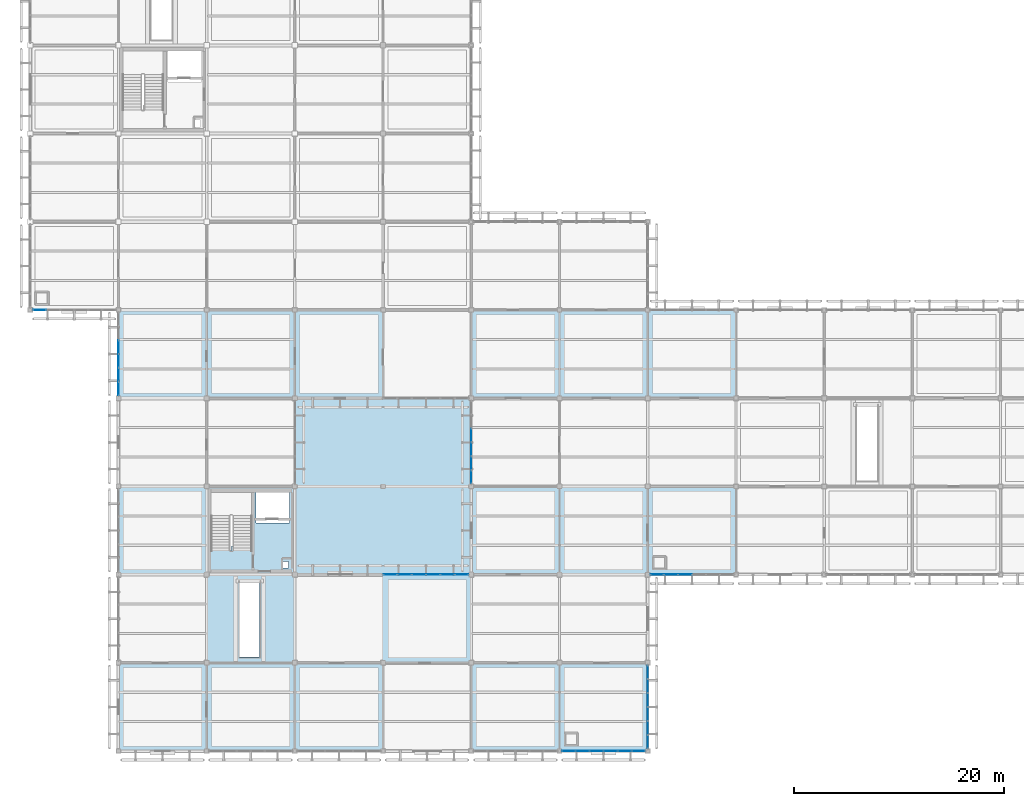
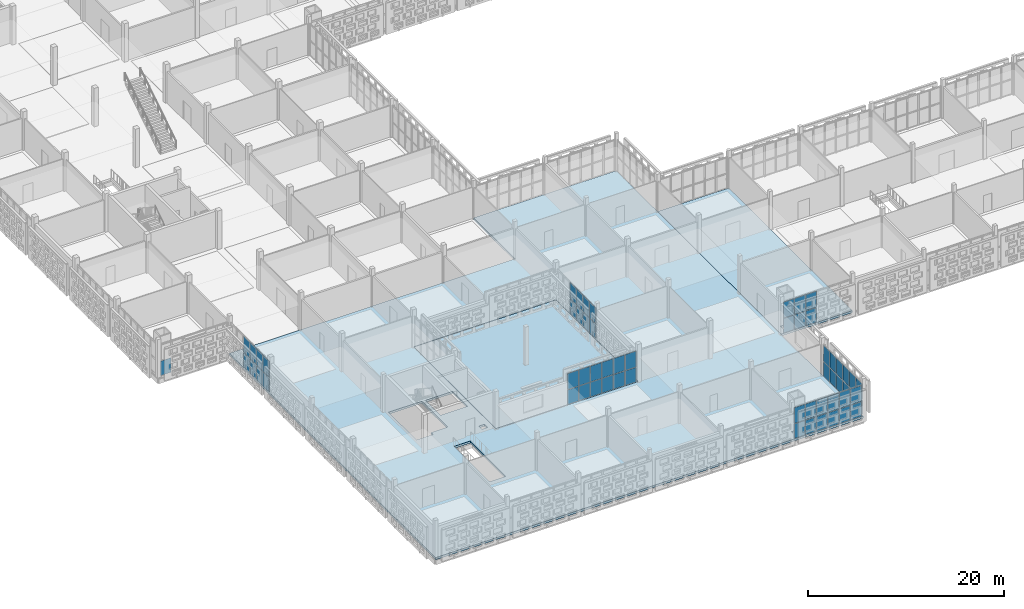
# One storey, part 88 of 203: 59 plates, 3 slabs, 7 elements without a shape of their own.
"""IFC4 building model written with IfcOpenShell, lengths in metres."""

import ifcopenshell
import ifcopenshell.guid

model = None  # the IFC model being written
_history = None  # IfcOwnerHistory: only IFC2X3 demands one
_inside = {}  # id of a spatial element -> (the spatial element, [elements in it])
_under = {}  # id of a project, library or spatial element -> (it, [spatial elements below it])
_declared = {}  # id of a project -> (the project, [libraries it declares])
_typed = {}  # id of a type object -> (the type object, [elements of that type])
_made_of = {}  # id of a material, layer set ... -> (it, [elements and type objects made of it])


def new_model(schema):
    """Start an empty IFC model of exactly this schema.

    Asked for "IFC4X3", IfcOpenShell would pick the latest addendum, in which some entities
    have other attributes; the version numbers below select the first issue.
    IFC2X3 requires an IfcOwnerHistory on every rooted entity: one is made here for all.
    """
    global model, _history
    if schema == "IFC4X3":
        model = ifcopenshell.file(schema_version=(4, 3, 0, 0))
    else:
        model = ifcopenshell.file(schema=schema)
    _inside.clear()
    _under.clear()
    _declared.clear()
    _typed.clear()
    _made_of.clear()
    _history = None
    if model.schema == "IFC2X3":
        org = make("IfcOrganization", Name="unknown")
        user = make(
            "IfcPersonAndOrganization",
            ThePerson=make("IfcPerson", FamilyName="unknown"),
            TheOrganization=org,
        )
        app = make(
            "IfcApplication",
            ApplicationDeveloper=org,
            Version="unknown",
            ApplicationFullName="unknown",
            ApplicationIdentifier="unknown",
        )
        _history = make(
            "IfcOwnerHistory",
            OwningUser=user,
            OwningApplication=app,
            ChangeAction="ADDED",
            CreationDate=0,
        )
    return model


def make(cls, **values):
    """One entity of the class cls with the attributes given. An attribute that is None is left unset."""
    return model.create_entity(
        cls, **{name: value for name, value in values.items() if value is not None}
    )


def rooted(cls, **values):
    """An entity with a GlobalId (a new one), such as an element, a storey or a relation."""
    return make(cls, GlobalId=ifcopenshell.guid.new(), OwnerHistory=_history, **values)


def si_unit(unit_type, name, prefix=None):
    """IfcSIUnit, for example si_unit("LENGTHUNIT", "METRE", prefix="MILLI")."""
    return make("IfcSIUnit", UnitType=unit_type, Prefix=prefix, Name=name)


def assignment(units):
    """IfcUnitAssignment: the units of a project."""
    return None if units is None else make("IfcUnitAssignment", Units=units)


def point(xyz):
    """IfcCartesianPoint."""
    return None if xyz is None else make("IfcCartesianPoint", Coordinates=xyz)


def direction(xyz):
    """IfcDirection."""
    return None if xyz is None else make("IfcDirection", DirectionRatios=xyz)


def frame(location, z_axis=None, x_axis=None):
    """IfcAxis2Placement3D, a coordinate frame: its origin and axes. An axis left out is left unset."""
    return make(
        "IfcAxis2Placement3D",
        Location=point(location),
        Axis=direction(z_axis),
        RefDirection=direction(x_axis),
    )


def frame_2d(location, x_axis=None):
    """IfcAxis2Placement2D, a coordinate frame in the plane: its origin and x axis."""
    return make(
        "IfcAxis2Placement2D", Location=point(location), RefDirection=direction(x_axis)
    )


def origin():
    """The frame at (0, 0, 0) with its axes left unset."""
    return frame((0.0, 0.0, 0.0))


def origin_2d():
    """The frame at (0, 0) in the plane with its x axis left unset."""
    return frame_2d((0.0, 0.0))


def place(relative_to, where):
    """IfcLocalPlacement: puts the frame where relative to a parent placement (None: the world)."""
    return make(
        "IfcLocalPlacement", PlacementRelTo=relative_to, RelativePlacement=where
    )


def context(
    kind, dimensions, precision=None, world=None, true_north=None, identifier=None
):
    """IfcGeometricRepresentationContext, for example the 3D "Model" context."""
    return make(
        "IfcGeometricRepresentationContext",
        ContextIdentifier=identifier,
        ContextType=kind,
        CoordinateSpaceDimension=dimensions,
        Precision=precision,
        WorldCoordinateSystem=world,
        TrueNorth=true_north,
    )


def subcontext(parent, identifier, kind, view, scale=None):
    """IfcGeometricRepresentationSubContext, for example "Body" below "Model"."""
    return make(
        "IfcGeometricRepresentationSubContext",
        ContextIdentifier=identifier,
        ContextType=kind,
        ParentContext=parent,
        TargetScale=scale,
        TargetView=view,
    )


def project(units=None, contexts=None):
    """IfcProject with its units and contexts."""
    return rooted(
        "IfcProject",
        Name="project",
        RepresentationContexts=contexts,
        UnitsInContext=assignment(units),
    )


def spatial(cls, under=None, at=None, **own):
    """A site, building, storey or space (cls), placed at a placement, below another one or the project."""
    s = rooted(cls, ObjectPlacement=at, **own)
    if under is not None:
        _under.setdefault(under.id(), (under, []))[1].append(s)
    return s


def polyline(points):
    """IfcPolyline through the points."""
    return make("IfcPolyline", Points=[point(p) for p in points])


def profile(cls, at=None, kind="AREA", **sizes):
    """A parametric profile (cls). Its sizes go by their IFC names, for example OverallWidth=200.0."""
    return make(cls, ProfileType=kind, Position=at, **sizes)


def rectangle(**sizes):
    """IfcRectangleProfileDef."""
    return profile("IfcRectangleProfileDef", **sizes)


def outline(outer, holes=None, kind="AREA"):
    """IfcArbitraryClosedProfileDef: a profile drawn as a closed curve; with holes, ...WithVoids."""
    if holes is None:
        return make("IfcArbitraryClosedProfileDef", ProfileType=kind, OuterCurve=outer)
    return make(
        "IfcArbitraryProfileDefWithVoids",
        ProfileType=kind,
        OuterCurve=outer,
        InnerCurves=holes,
    )


def extrude(swept, where, along, depth):
    """IfcExtrudedAreaSolid: the profile swept, set in the frame where, extruded along a direction by depth."""
    return make(
        "IfcExtrudedAreaSolid",
        SweptArea=swept,
        Position=where,
        ExtrudedDirection=direction(along),
        Depth=depth,
    )


def shape(context_of_items, identifier, shape_type, items):
    """IfcShapeRepresentation: the items that make up one representation, for example the "Body"."""
    return make(
        "IfcShapeRepresentation",
        ContextOfItems=context_of_items,
        RepresentationIdentifier=identifier,
        RepresentationType=shape_type,
        Items=items,
    )


def material(Name=None, Category=None):
    """IfcMaterial."""
    return make("IfcMaterial", Name=Name, Category=Category)


def layer(
    of_material, thickness, ventilated=None, Name=None, Category=None, Priority=None
):
    """IfcMaterialLayer: one layer of a wall or slab, of a material (None: an air gap)."""
    return make(
        "IfcMaterialLayer",
        Material=of_material,
        LayerThickness=thickness,
        IsVentilated=ventilated,
        Name=Name,
        Category=Category,
        Priority=Priority,
    )


def layer_set(layers, Name=None):
    """IfcMaterialLayerSet."""
    return make("IfcMaterialLayerSet", MaterialLayers=layers, LayerSetName=Name)


def made_of(thing, what):
    """Note that an element or type object is made of a material, layer set ...; save() writes the relation."""
    if what is not None:
        _made_of.setdefault(what.id(), (what, []))[1].append(thing)
    return thing


def type_object(cls, material=None, **own):
    """A type object (cls), such as IfcWallType, which elements share."""
    return made_of(rooted(cls, **own), material)


def element(
    cls,
    number,
    at=None,
    inside=None,
    cuts=None,
    type_object=None,
    material=None,
    context=None,
    identifier="Body",
    shape_type=None,
    held_by="IfcProductDefinitionShape",
    body=None,
    shapes=None,
    **own,
):
    """One element of the class cls, such as IfcWall. Its Tag is "e" and its number.

    at: its placement. inside: the storey or other place that contains it. cuts: it is an
    opening in that element (IfcRelVoidsElement). A single representation is given by context,
    identifier, shape_type and body (its items); several are given by shapes. held_by: the class
    of the entity that holds the representations. save() writes the other relations.
    """
    e = rooted(cls, Tag="e%d" % number, ObjectPlacement=at, **own)
    if body is not None:
        shapes = [shape(context, identifier, shape_type, body)]
    if shapes is not None:
        e.Representation = make(held_by, Representations=shapes)
    if inside is not None:
        _inside.setdefault(inside.id(), (inside, []))[1].append(e)
    if cuts is not None:
        rooted(
            "IfcRelVoidsElement", RelatingBuildingElement=cuts, RelatedOpeningElement=e
        )
    if type_object is not None:
        _typed.setdefault(type_object.id(), (type_object, []))[1].append(e)
    return made_of(e, material)


def aggregate(whole, parts):
    """IfcRelAggregates: a whole, such as a stair, and the parts it consists of."""
    return rooted("IfcRelAggregates", RelatingObject=whole, RelatedObjects=parts)


def save(model, path):
    """Write the relations noted so far, then the file.

    IfcRelAggregates (storeys below a building ...), IfcRelContainedInSpatialStructure (elements
    in a storey), IfcRelDefinesByType, IfcRelAssociatesMaterial and IfcRelDeclares: one each for
    every whole, place, type object, material and project.
    """
    for whole, parts in _under.values():
        aggregate(whole, parts)
    for where, things in _inside.values():
        rooted(
            "IfcRelContainedInSpatialStructure",
            RelatedElements=things,
            RelatingStructure=where,
        )
    for kind, things in _typed.values():
        rooted("IfcRelDefinesByType", RelatedObjects=things, RelatingType=kind)
    for what, things in _made_of.values():
        rooted("IfcRelAssociatesMaterial", RelatedObjects=things, RelatingMaterial=what)
    for by, libraries in _declared.values():
        rooted("IfcRelDeclares", RelatingContext=by, RelatedDefinitions=libraries)
    model.write(path)


model = new_model("IFC4")

# Units and contexts
model_context = context("Model", 3, precision=1e-05, world=origin(), true_north=direction((0.0, 1.0)))
body_context = subcontext(model_context, "Body", "Model", "MODEL_VIEW")
ifc_project = project(units=[si_unit("LENGTHUNIT", "METRE"), si_unit("AREAUNIT", "SQUARE_METRE"), si_unit("VOLUMEUNIT", "CUBIC_METRE"), si_unit("PLANEANGLEUNIT", "RADIAN"), si_unit("MASSUNIT", "GRAM", prefix="KILO")], contexts=[model_context])

# Site, building, storey
site_placement = place(None, origin())
site = spatial("IfcSite", under=ifc_project, at=site_placement, CompositionType="ELEMENT")
building_placement = place(site_placement, origin())
building = spatial("IfcBuilding", under=site, at=building_placement, Name="Varnapada Polytechnic", CompositionType="ELEMENT")
storey_placement = place(building_placement, frame((0.0, 0.0, 4.800048828125)))
storey = spatial("IfcBuildingStorey", under=building, at=storey_placement, Name="L01", CompositionType="ELEMENT", Elevation=4.800048828125)

# Curtain wall, plate
ifc_material_1 = material(Name="Double low-E laminated glass", Category="glass")
ifc_layer_1 = layer(ifc_material_1, 0.179931640625)
ifc_layer_set_1 = layer_set([ifc_layer_1], Name="Double low-E laminated glass")
curtain_wall_type_1 = type_object("IfcCurtainWallType", Name="Curtain Wall CW-03", PredefinedType="NOTDEFINED", material=ifc_layer_set_1)
curtain_wall_1_placement = place(storey_placement, origin())
curtain_wall_1 = element("IfcCurtainWall", 1, at=curtain_wall_1_placement, inside=storey, type_object=curtain_wall_type_1, Name="L01 unitised curtain wall CW-03 (19)", PredefinedType="NOTDEFINED")
ifc_layer_2 = layer(ifc_material_1, 0.031982421875)
ifc_layer_set_2 = layer_set([ifc_layer_2], Name="Double low-E laminated glass")
plate_type = type_object("IfcPlateType", Name="Curtain Panel PNL-02", PredefinedType="CURTAIN_PANEL", material=ifc_layer_set_2)
plate_1_placement = place(storey_placement, frame((0.891357421875, 42.0, 0.06494140625), z_axis=(0.0, 0.0, 1.0), x_axis=(-1.0, 0.0, 0.0)))
plate_1 = element("IfcPlate", 2, at=plate_1_placement, type_object=plate_type, Name="CW-03 panel 6.1", PredefinedType="CURTAIN_PANEL", context=body_context, shape_type="SweptSolid", body=[
    extrude(rectangle(XDim=1.232421875, YDim=0.031982421875, at=origin_2d()), origin(), (0.0, 0.0, 1.0), 1.80322265625),
])
aggregate(curtain_wall_1, [plate_1])

# Curtain wall, plates
curtain_wall_2_placement = place(storey_placement, origin())
curtain_wall_2 = element("IfcCurtainWall", 3, at=curtain_wall_2_placement, inside=storey, type_object=curtain_wall_type_1, Name="L01 unitised curtain wall CW-03 (29)", PredefinedType="NOTDEFINED")
plate_2_placement = place(storey_placement, frame((8.39990234375, 34.509521484375, 0.06494140625), z_axis=(0.0, 0.0, 1.0), x_axis=(0.0, 1.0, 0.0)))
plate_2 = element("IfcPlate", 4, at=plate_2_placement, type_object=plate_type, Name="CW-03 panel 1.1", PredefinedType="CURTAIN_PANEL", context=body_context, shape_type="SweptSolid", body=[
    extrude(rectangle(XDim=1.229248046875, YDim=0.031982421875, at=origin_2d()), origin(), (0.0, 0.0, 1.0), 1.80322265625),
])
plate_3_placement = place(storey_placement, frame((8.39990234375, 34.509521484375, 1.93310546875), z_axis=(0.0, 0.0, 1.0), x_axis=(0.0, 1.0, 0.0)))
plate_3 = element("IfcPlate", 5, at=plate_3_placement, type_object=plate_type, Name="CW-03 panel 1.2", PredefinedType="CURTAIN_PANEL", context=body_context, shape_type="SweptSolid", body=[
    extrude(rectangle(XDim=1.229248046875, YDim=0.031982421875, at=origin_2d()), origin(), (0.0, 0.0, 1.0), 1.961669921875),
])
plate_4_placement = place(storey_placement, frame((8.39990234375, 35.820068359375, 0.06494140625), z_axis=(0.0, 0.0, 1.0), x_axis=(0.0, 1.0, 0.0)))
plate_4 = element("IfcPlate", 6, at=plate_4_placement, type_object=plate_type, Name="CW-03 panel 2.1", PredefinedType="CURTAIN_PANEL", context=body_context, shape_type="SweptSolid", body=[
    extrude(rectangle(XDim=1.26171875, YDim=0.031982421875, at=origin_2d()), origin(), (0.0, 0.0, 1.0), 1.80322265625),
])
plate_5_placement = place(storey_placement, frame((8.39990234375, 35.820068359375, 1.93310546875), z_axis=(0.0, 0.0, 1.0), x_axis=(0.0, 1.0, 0.0)))
plate_5 = element("IfcPlate", 7, at=plate_5_placement, type_object=plate_type, Name="CW-03 panel 2.2", PredefinedType="CURTAIN_PANEL", context=body_context, shape_type="SweptSolid", body=[
    extrude(rectangle(XDim=1.26171875, YDim=0.031982421875, at=origin_2d()), origin(), (0.0, 0.0, 1.0), 1.961669921875),
])
plate_6_placement = place(storey_placement, frame((8.39990234375, 37.146728515625, 0.06494140625), z_axis=(0.0, 0.0, 1.0), x_axis=(0.0, 1.0, 0.0)))
plate_6 = element("IfcPlate", 8, at=plate_6_placement, type_object=plate_type, Name="CW-03 panel 3.1", PredefinedType="CURTAIN_PANEL", context=body_context, shape_type="SweptSolid", body=[
    extrude(rectangle(XDim=1.26171875, YDim=0.031982421875, at=origin_2d()), origin(), (0.0, 0.0, 1.0), 1.80322265625),
])
plate_7_placement = place(storey_placement, frame((8.39990234375, 37.146728515625, 1.93310546875), z_axis=(0.0, 0.0, 1.0), x_axis=(0.0, 1.0, 0.0)))
plate_7 = element("IfcPlate", 9, at=plate_7_placement, type_object=plate_type, Name="CW-03 panel 3.2", PredefinedType="CURTAIN_PANEL", context=body_context, shape_type="SweptSolid", body=[
    extrude(rectangle(XDim=1.26171875, YDim=0.031982421875, at=origin_2d()), origin(), (0.0, 0.0, 1.0), 1.961669921875),
])
plate_8_placement = place(storey_placement, frame((8.39990234375, 38.473388671875, 0.06494140625), z_axis=(0.0, 0.0, 1.0), x_axis=(0.0, 1.0, 0.0)))
plate_8 = element("IfcPlate", 10, at=plate_8_placement, type_object=plate_type, Name="CW-03 panel 4.1", PredefinedType="CURTAIN_PANEL", context=body_context, shape_type="SweptSolid", body=[
    extrude(rectangle(XDim=1.26171875, YDim=0.031982421875, at=origin_2d()), origin(), (0.0, 0.0, 1.0), 1.80322265625),
])
plate_9_placement = place(storey_placement, frame((8.39990234375, 38.473388671875, 1.93310546875), z_axis=(0.0, 0.0, 1.0), x_axis=(0.0, 1.0, 0.0)))
plate_9 = element("IfcPlate", 11, at=plate_9_placement, type_object=plate_type, Name="CW-03 panel 4.2", PredefinedType="CURTAIN_PANEL", context=body_context, shape_type="SweptSolid", body=[
    extrude(rectangle(XDim=1.26171875, YDim=0.031982421875, at=origin_2d()), origin(), (0.0, 0.0, 1.0), 1.961669921875),
])
aggregate(curtain_wall_2, [plate_2, plate_3, plate_4, plate_5, plate_6, plate_7, plate_8, plate_9])

curtain_wall_3_placement = place(storey_placement, origin())
curtain_wall_3 = element("IfcCurtainWall", 12, at=curtain_wall_3_placement, inside=storey, type_object=curtain_wall_type_1, Name="L01 unitised curtain wall CW-03 (35)", PredefinedType="NOTDEFINED")
plate_10_placement = place(storey_placement, frame((34.297119140625, 16.800048828125, 0.06494140625), z_axis=(0.0, 0.0, 1.0), x_axis=(1.0, 0.0, 0.0)))
plate_10 = element("IfcPlate", 13, at=plate_10_placement, type_object=plate_type, Name="CW-03 panel 1.1", PredefinedType="CURTAIN_PANEL", context=body_context, shape_type="SweptSolid", body=[
    extrude(rectangle(XDim=1.26416015625, YDim=0.031982421875, at=origin_2d()), origin(), (0.0, 0.0, 1.0), 1.80322265625),
])
plate_11_placement = place(storey_placement, frame((34.297119140625, 16.800048828125, 1.93310546875), z_axis=(0.0, 0.0, 1.0), x_axis=(1.0, 0.0, 0.0)))
plate_11 = element("IfcPlate", 14, at=plate_11_placement, type_object=plate_type, Name="CW-03 panel 1.2", PredefinedType="CURTAIN_PANEL", context=body_context, shape_type="SweptSolid", body=[
    extrude(rectangle(XDim=1.26416015625, YDim=0.031982421875, at=origin_2d()), origin(), (0.0, 0.0, 1.0), 1.961669921875),
])
plate_12_placement = place(storey_placement, frame((35.642578125, 16.800048828125, 0.06494140625), z_axis=(0.0, 0.0, 1.0), x_axis=(1.0, 0.0, 0.0)))
plate_12 = element("IfcPlate", 15, at=plate_12_placement, type_object=plate_type, Name="CW-03 panel 2.1", PredefinedType="CURTAIN_PANEL", context=body_context, shape_type="SweptSolid", body=[
    extrude(rectangle(XDim=1.296630859375, YDim=0.031982421875, at=origin_2d()), origin(), (0.0, 0.0, 1.0), 1.80322265625),
])
plate_13_placement = place(storey_placement, frame((35.642578125, 16.800048828125, 1.93310546875), z_axis=(0.0, 0.0, 1.0), x_axis=(1.0, 0.0, 0.0)))
plate_13 = element("IfcPlate", 16, at=plate_13_placement, type_object=plate_type, Name="CW-03 panel 2.2", PredefinedType="CURTAIN_PANEL", context=body_context, shape_type="SweptSolid", body=[
    extrude(rectangle(XDim=1.296630859375, YDim=0.031982421875, at=origin_2d()), origin(), (0.0, 0.0, 1.0), 1.961669921875),
])
plate_14_placement = place(storey_placement, frame((37.004150390625, 16.800048828125, 0.06494140625), z_axis=(0.0, 0.0, 1.0), x_axis=(1.0, 0.0, 0.0)))
plate_14 = element("IfcPlate", 17, at=plate_14_placement, type_object=plate_type, Name="CW-03 panel 3.1", PredefinedType="CURTAIN_PANEL", context=body_context, shape_type="SweptSolid", body=[
    extrude(rectangle(XDim=1.296630859375, YDim=0.031982421875, at=origin_2d()), origin(), (0.0, 0.0, 1.0), 1.80322265625),
])
plate_15_placement = place(storey_placement, frame((37.004150390625, 16.800048828125, 1.93310546875), z_axis=(0.0, 0.0, 1.0), x_axis=(1.0, 0.0, 0.0)))
plate_15 = element("IfcPlate", 18, at=plate_15_placement, type_object=plate_type, Name="CW-03 panel 3.2", PredefinedType="CURTAIN_PANEL", context=body_context, shape_type="SweptSolid", body=[
    extrude(rectangle(XDim=1.296630859375, YDim=0.031982421875, at=origin_2d()), origin(), (0.0, 0.0, 1.0), 1.961669921875),
])
plate_16_placement = place(storey_placement, frame((38.36572265625, 16.800048828125, 0.06494140625), z_axis=(0.0, 0.0, 1.0), x_axis=(1.0, 0.0, 0.0)))
plate_16 = element("IfcPlate", 19, at=plate_16_placement, type_object=plate_type, Name="CW-03 panel 4.1", PredefinedType="CURTAIN_PANEL", context=body_context, shape_type="SweptSolid", body=[
    extrude(rectangle(XDim=1.296630859375, YDim=0.031982421875, at=origin_2d()), origin(), (0.0, 0.0, 1.0), 1.80322265625),
])
plate_17_placement = place(storey_placement, frame((38.36572265625, 16.800048828125, 1.93310546875), z_axis=(0.0, 0.0, 1.0), x_axis=(1.0, 0.0, 0.0)))
plate_17 = element("IfcPlate", 20, at=plate_17_placement, type_object=plate_type, Name="CW-03 panel 4.2", PredefinedType="CURTAIN_PANEL", context=body_context, shape_type="SweptSolid", body=[
    extrude(rectangle(XDim=1.296630859375, YDim=0.031982421875, at=origin_2d()), origin(), (0.0, 0.0, 1.0), 1.961669921875),
])
plate_18_placement = place(storey_placement, frame((39.7275390625, 16.800048828125, 0.06494140625), z_axis=(0.0, 0.0, 1.0), x_axis=(1.0, 0.0, 0.0)))
plate_18 = element("IfcPlate", 21, at=plate_18_placement, type_object=plate_type, Name="CW-03 panel 5.1", PredefinedType="CURTAIN_PANEL", context=body_context, shape_type="SweptSolid", body=[
    extrude(rectangle(XDim=1.296630859375, YDim=0.031982421875, at=origin_2d()), origin(), (0.0, 0.0, 1.0), 1.80322265625),
])
plate_19_placement = place(storey_placement, frame((39.7275390625, 16.800048828125, 1.93310546875), z_axis=(0.0, 0.0, 1.0), x_axis=(1.0, 0.0, 0.0)))
plate_19 = element("IfcPlate", 22, at=plate_19_placement, type_object=plate_type, Name="CW-03 panel 5.2", PredefinedType="CURTAIN_PANEL", context=body_context, shape_type="SweptSolid", body=[
    extrude(rectangle(XDim=1.296630859375, YDim=0.031982421875, at=origin_2d()), origin(), (0.0, 0.0, 1.0), 1.961669921875),
])
plate_20_placement = place(storey_placement, frame((41.072998046875, 16.800048828125, 0.06494140625), z_axis=(0.0, 0.0, 1.0), x_axis=(1.0, 0.0, 0.0)))
plate_20 = element("IfcPlate", 23, at=plate_20_placement, type_object=plate_type, Name="CW-03 panel 6.1", PredefinedType="CURTAIN_PANEL", context=body_context, shape_type="SweptSolid", body=[
    extrude(rectangle(XDim=1.26416015625, YDim=0.031982421875, at=origin_2d()), origin(), (0.0, 0.0, 1.0), 1.80322265625),
])
plate_21_placement = place(storey_placement, frame((41.072998046875, 16.800048828125, 1.93310546875), z_axis=(0.0, 0.0, 1.0), x_axis=(1.0, 0.0, 0.0)))
plate_21 = element("IfcPlate", 24, at=plate_21_placement, type_object=plate_type, Name="CW-03 panel 6.2", PredefinedType="CURTAIN_PANEL", context=body_context, shape_type="SweptSolid", body=[
    extrude(rectangle(XDim=1.26416015625, YDim=0.031982421875, at=origin_2d()), origin(), (0.0, 0.0, 1.0), 1.961669921875),
])
aggregate(curtain_wall_3, [plate_10, plate_11, plate_12, plate_13, plate_14, plate_15, plate_16, plate_17, plate_18, plate_19, plate_20, plate_21])

curtain_wall_4_placement = place(storey_placement, origin())
curtain_wall_4 = element("IfcCurtainWall", 25, at=curtain_wall_4_placement, inside=storey, type_object=curtain_wall_type_1, Name="L01 unitised curtain wall CW-03 (44)", PredefinedType="NOTDEFINED")
plate_22_placement = place(storey_placement, frame((42.0, 26.0986328125, 0.06494140625), z_axis=(0.0, 0.0, 1.0), x_axis=(0.0, 1.0, 0.0)))
plate_22 = element("IfcPlate", 26, at=plate_22_placement, type_object=plate_type, Name="CW-03 panel 1.1", PredefinedType="CURTAIN_PANEL", context=body_context, shape_type="SweptSolid", body=[
    extrude(rectangle(XDim=1.2275390625, YDim=0.031982421875, at=origin_2d()), origin(), (0.0, 0.0, 1.0), 1.80322265625),
])
plate_23_placement = place(storey_placement, frame((42.0, 26.0986328125, 1.93310546875), z_axis=(0.0, 0.0, 1.0), x_axis=(0.0, 1.0, 0.0)))
plate_23 = element("IfcPlate", 27, at=plate_23_placement, type_object=plate_type, Name="CW-03 panel 1.2", PredefinedType="CURTAIN_PANEL", context=body_context, shape_type="SweptSolid", body=[
    extrude(rectangle(XDim=1.2275390625, YDim=0.031982421875, at=origin_2d()), origin(), (0.0, 0.0, 1.0), 1.961669921875),
])
plate_24_placement = place(storey_placement, frame((42.0, 27.407470703125, 0.06494140625), z_axis=(0.0, 0.0, 1.0), x_axis=(0.0, 1.0, 0.0)))
plate_24 = element("IfcPlate", 28, at=plate_24_placement, type_object=plate_type, Name="CW-03 panel 2.1", PredefinedType="CURTAIN_PANEL", context=body_context, shape_type="SweptSolid", body=[
    extrude(rectangle(XDim=1.260009765625, YDim=0.031982421875, at=origin_2d()), origin(), (0.0, 0.0, 1.0), 1.80322265625),
])
plate_25_placement = place(storey_placement, frame((42.0, 27.407470703125, 1.93310546875), z_axis=(0.0, 0.0, 1.0), x_axis=(0.0, 1.0, 0.0)))
plate_25 = element("IfcPlate", 29, at=plate_25_placement, type_object=plate_type, Name="CW-03 panel 2.2", PredefinedType="CURTAIN_PANEL", context=body_context, shape_type="SweptSolid", body=[
    extrude(rectangle(XDim=1.260009765625, YDim=0.031982421875, at=origin_2d()), origin(), (0.0, 0.0, 1.0), 1.961669921875),
])
plate_26_placement = place(storey_placement, frame((42.0, 28.732421875, 0.06494140625), z_axis=(0.0, 0.0, 1.0), x_axis=(0.0, 1.0, 0.0)))
plate_26 = element("IfcPlate", 30, at=plate_26_placement, type_object=plate_type, Name="CW-03 panel 3.1", PredefinedType="CURTAIN_PANEL", context=body_context, shape_type="SweptSolid", body=[
    extrude(rectangle(XDim=1.260009765625, YDim=0.031982421875, at=origin_2d()), origin(), (0.0, 0.0, 1.0), 1.80322265625),
])
plate_27_placement = place(storey_placement, frame((42.0, 28.732421875, 1.93310546875), z_axis=(0.0, 0.0, 1.0), x_axis=(0.0, 1.0, 0.0)))
plate_27 = element("IfcPlate", 31, at=plate_27_placement, type_object=plate_type, Name="CW-03 panel 3.2", PredefinedType="CURTAIN_PANEL", context=body_context, shape_type="SweptSolid", body=[
    extrude(rectangle(XDim=1.260009765625, YDim=0.031982421875, at=origin_2d()), origin(), (0.0, 0.0, 1.0), 1.961669921875),
])
plate_28_placement = place(storey_placement, frame((42.0, 30.0576171875, 0.06494140625), z_axis=(0.0, 0.0, 1.0), x_axis=(0.0, 1.0, 0.0)))
plate_28 = element("IfcPlate", 32, at=plate_28_placement, type_object=plate_type, Name="CW-03 panel 4.1", PredefinedType="CURTAIN_PANEL", context=body_context, shape_type="SweptSolid", body=[
    extrude(rectangle(XDim=1.260009765625, YDim=0.031982421875, at=origin_2d()), origin(), (0.0, 0.0, 1.0), 1.80322265625),
])
plate_29_placement = place(storey_placement, frame((42.0, 30.0576171875, 1.93310546875), z_axis=(0.0, 0.0, 1.0), x_axis=(0.0, 1.0, 0.0)))
plate_29 = element("IfcPlate", 33, at=plate_29_placement, type_object=plate_type, Name="CW-03 panel 4.2", PredefinedType="CURTAIN_PANEL", context=body_context, shape_type="SweptSolid", body=[
    extrude(rectangle(XDim=1.260009765625, YDim=0.031982421875, at=origin_2d()), origin(), (0.0, 0.0, 1.0), 1.961669921875),
])
aggregate(curtain_wall_4, [plate_22, plate_23, plate_24, plate_25, plate_26, plate_27, plate_28, plate_29])

ifc_layer_3 = layer(ifc_material_1, 0.179931640625)
ifc_layer_set_3 = layer_set([ifc_layer_3], Name="Double low-E laminated glass")
curtain_wall_type_2 = type_object("IfcCurtainWallType", Name="Curtain Wall CW-04", PredefinedType="NOTDEFINED", material=ifc_layer_set_3)
curtain_wall_5_placement = place(storey_placement, origin())
curtain_wall_5 = element("IfcCurtainWall", 34, at=curtain_wall_5_placement, inside=storey, type_object=curtain_wall_type_2, Name="L01 unitised curtain wall CW-04 (48)", PredefinedType="NOTDEFINED")
plate_30_placement = place(storey_placement, frame((57.916259765625, 0.0, 0.06494140625), z_axis=(0.0, 0.0, 1.0), x_axis=(-1.0, 0.0, 0.0)))
plate_30 = element("IfcPlate", 35, at=plate_30_placement, type_object=plate_type, Name="CW-04 panel 1.1", PredefinedType="CURTAIN_PANEL", context=body_context, shape_type="SweptSolid", body=[
    extrude(rectangle(XDim=1.237548828125, YDim=0.031982421875, at=origin_2d()), origin(), (0.0, 0.0, 1.0), 1.80322265625),
])
plate_31_placement = place(storey_placement, frame((57.916259765625, 0.0, 1.93310546875), z_axis=(0.0, 0.0, 1.0), x_axis=(-1.0, 0.0, 0.0)))
plate_31 = element("IfcPlate", 36, at=plate_31_placement, type_object=plate_type, Name="CW-04 panel 1.2", PredefinedType="CURTAIN_PANEL", context=body_context, shape_type="SweptSolid", body=[
    extrude(rectangle(XDim=1.237548828125, YDim=0.031982421875, at=origin_2d()), origin(), (0.0, 0.0, 1.0), 1.961669921875),
])
plate_32_placement = place(storey_placement, frame((56.597412109375, 0.0, 0.06494140625), z_axis=(0.0, 0.0, 1.0), x_axis=(-1.0, 0.0, 0.0)))
plate_32 = element("IfcPlate", 37, at=plate_32_placement, type_object=plate_type, Name="CW-04 panel 2.1", PredefinedType="CURTAIN_PANEL", context=body_context, shape_type="SweptSolid", body=[
    extrude(rectangle(XDim=1.27001953125, YDim=0.031982421875, at=origin_2d()), origin(), (0.0, 0.0, 1.0), 1.80322265625),
])
plate_33_placement = place(storey_placement, frame((56.597412109375, 0.0, 1.93310546875), z_axis=(0.0, 0.0, 1.0), x_axis=(-1.0, 0.0, 0.0)))
plate_33 = element("IfcPlate", 38, at=plate_33_placement, type_object=plate_type, Name="CW-04 panel 2.2", PredefinedType="CURTAIN_PANEL", context=body_context, shape_type="SweptSolid", body=[
    extrude(rectangle(XDim=1.27001953125, YDim=0.031982421875, at=origin_2d()), origin(), (0.0, 0.0, 1.0), 1.961669921875),
])
plate_34_placement = place(storey_placement, frame((55.262451171875, 0.0, 0.06494140625), z_axis=(0.0, 0.0, 1.0), x_axis=(-1.0, 0.0, 0.0)))
plate_34 = element("IfcPlate", 39, at=plate_34_placement, type_object=plate_type, Name="CW-04 panel 3.1", PredefinedType="CURTAIN_PANEL", context=body_context, shape_type="SweptSolid", body=[
    extrude(rectangle(XDim=1.27001953125, YDim=0.031982421875, at=origin_2d()), origin(), (0.0, 0.0, 1.0), 1.80322265625),
])
plate_35_placement = place(storey_placement, frame((55.262451171875, 0.0, 1.93310546875), z_axis=(0.0, 0.0, 1.0), x_axis=(-1.0, 0.0, 0.0)))
plate_35 = element("IfcPlate", 40, at=plate_35_placement, type_object=plate_type, Name="CW-04 panel 3.2", PredefinedType="CURTAIN_PANEL", context=body_context, shape_type="SweptSolid", body=[
    extrude(rectangle(XDim=1.27001953125, YDim=0.031982421875, at=origin_2d()), origin(), (0.0, 0.0, 1.0), 1.961669921875),
])
plate_36_placement = place(storey_placement, frame((53.927490234375, 0.0, 0.06494140625), z_axis=(0.0, 0.0, 1.0), x_axis=(-1.0, 0.0, 0.0)))
plate_36 = element("IfcPlate", 41, at=plate_36_placement, type_object=plate_type, Name="CW-04 panel 4.1", PredefinedType="CURTAIN_PANEL", context=body_context, shape_type="SweptSolid", body=[
    extrude(rectangle(XDim=1.27001953125, YDim=0.031982421875, at=origin_2d()), origin(), (0.0, 0.0, 1.0), 1.80322265625),
])
plate_37_placement = place(storey_placement, frame((53.927490234375, 0.0, 1.93310546875), z_axis=(0.0, 0.0, 1.0), x_axis=(-1.0, 0.0, 0.0)))
plate_37 = element("IfcPlate", 42, at=plate_37_placement, type_object=plate_type, Name="CW-04 panel 4.2", PredefinedType="CURTAIN_PANEL", context=body_context, shape_type="SweptSolid", body=[
    extrude(rectangle(XDim=1.27001953125, YDim=0.031982421875, at=origin_2d()), origin(), (0.0, 0.0, 1.0), 1.961669921875),
])
plate_38_placement = place(storey_placement, frame((52.592529296875, 0.0, 0.06494140625), z_axis=(0.0, 0.0, 1.0), x_axis=(-1.0, 0.0, 0.0)))
plate_38 = element("IfcPlate", 43, at=plate_38_placement, type_object=plate_type, Name="CW-04 panel 5.1", PredefinedType="CURTAIN_PANEL", context=body_context, shape_type="SweptSolid", body=[
    extrude(rectangle(XDim=1.27001953125, YDim=0.031982421875, at=origin_2d()), origin(), (0.0, 0.0, 1.0), 1.80322265625),
])
plate_39_placement = place(storey_placement, frame((52.592529296875, 0.0, 1.93310546875), z_axis=(0.0, 0.0, 1.0), x_axis=(-1.0, 0.0, 0.0)))
plate_39 = element("IfcPlate", 44, at=plate_39_placement, type_object=plate_type, Name="CW-04 panel 5.2", PredefinedType="CURTAIN_PANEL", context=body_context, shape_type="SweptSolid", body=[
    extrude(rectangle(XDim=1.27001953125, YDim=0.031982421875, at=origin_2d()), origin(), (0.0, 0.0, 1.0), 1.961669921875),
])
plate_40_placement = place(storey_placement, frame((51.273681640625, 0.0, 0.06494140625), z_axis=(0.0, 0.0, 1.0), x_axis=(-1.0, 0.0, 0.0)))
plate_40 = element("IfcPlate", 45, at=plate_40_placement, type_object=plate_type, Name="CW-04 panel 6.1", PredefinedType="CURTAIN_PANEL", context=body_context, shape_type="SweptSolid", body=[
    extrude(rectangle(XDim=1.237548828125, YDim=0.031982421875, at=origin_2d()), origin(), (0.0, 0.0, 1.0), 1.80322265625),
])
plate_41_placement = place(storey_placement, frame((51.273681640625, 0.0, 1.93310546875), z_axis=(0.0, 0.0, 1.0), x_axis=(-1.0, 0.0, 0.0)))
plate_41 = element("IfcPlate", 46, at=plate_41_placement, type_object=plate_type, Name="CW-04 panel 6.2", PredefinedType="CURTAIN_PANEL", context=body_context, shape_type="SweptSolid", body=[
    extrude(rectangle(XDim=1.237548828125, YDim=0.031982421875, at=origin_2d()), origin(), (0.0, 0.0, 1.0), 1.961669921875),
])
aggregate(curtain_wall_5, [plate_30, plate_31, plate_32, plate_33, plate_34, plate_35, plate_36, plate_37, plate_38, plate_39, plate_40, plate_41])

curtain_wall_6_placement = place(storey_placement, origin())
curtain_wall_6 = element("IfcCurtainWall", 47, at=curtain_wall_6_placement, inside=storey, type_object=curtain_wall_type_2, Name="L01 unitised curtain wall CW-04 (49)", PredefinedType="NOTDEFINED")
plate_42_placement = place(storey_placement, frame((58.800048828125, 7.5078125, 0.06494140625), z_axis=(0.0, 0.0, 1.0), x_axis=(0.0, -1.0, 0.0)))
plate_42 = element("IfcPlate", 48, at=plate_42_placement, type_object=plate_type, Name="CW-04 panel 1.1", PredefinedType="CURTAIN_PANEL", context=body_context, shape_type="SweptSolid", body=[
    extrude(rectangle(XDim=1.234130859375, YDim=0.031982421875, at=origin_2d()), origin(), (0.0, 0.0, 1.0), 1.80322265625),
])
plate_43_placement = place(storey_placement, frame((58.800048828125, 7.5078125, 1.93310546875), z_axis=(0.0, 0.0, 1.0), x_axis=(0.0, -1.0, 0.0)))
plate_43 = element("IfcPlate", 49, at=plate_43_placement, type_object=plate_type, Name="CW-04 panel 1.2", PredefinedType="CURTAIN_PANEL", context=body_context, shape_type="SweptSolid", body=[
    extrude(rectangle(XDim=1.234130859375, YDim=0.031982421875, at=origin_2d()), origin(), (0.0, 0.0, 1.0), 1.961669921875),
])
plate_44_placement = place(storey_placement, frame((58.800048828125, 6.1923828125, 0.06494140625), z_axis=(0.0, 0.0, 1.0), x_axis=(0.0, -1.0, 0.0)))
plate_44 = element("IfcPlate", 50, at=plate_44_placement, type_object=plate_type, Name="CW-04 panel 2.1", PredefinedType="CURTAIN_PANEL", context=body_context, shape_type="SweptSolid", body=[
    extrude(rectangle(XDim=1.2666015625, YDim=0.031982421875, at=origin_2d()), origin(), (0.0, 0.0, 1.0), 1.80322265625),
])
plate_45_placement = place(storey_placement, frame((58.800048828125, 6.1923828125, 1.93310546875), z_axis=(0.0, 0.0, 1.0), x_axis=(0.0, -1.0, 0.0)))
plate_45 = element("IfcPlate", 51, at=plate_45_placement, type_object=plate_type, Name="CW-04 panel 2.2", PredefinedType="CURTAIN_PANEL", context=body_context, shape_type="SweptSolid", body=[
    extrude(rectangle(XDim=1.2666015625, YDim=0.031982421875, at=origin_2d()), origin(), (0.0, 0.0, 1.0), 1.961669921875),
])
plate_46_placement = place(storey_placement, frame((58.800048828125, 4.86083984375, 0.06494140625), z_axis=(0.0, 0.0, 1.0), x_axis=(0.0, -1.0, 0.0)))
plate_46 = element("IfcPlate", 52, at=plate_46_placement, type_object=plate_type, Name="CW-04 panel 3.1", PredefinedType="CURTAIN_PANEL", context=body_context, shape_type="SweptSolid", body=[
    extrude(rectangle(XDim=1.2666015625, YDim=0.031982421875, at=origin_2d()), origin(), (0.0, 0.0, 1.0), 1.80322265625),
])
plate_47_placement = place(storey_placement, frame((58.800048828125, 4.86083984375, 1.93310546875), z_axis=(0.0, 0.0, 1.0), x_axis=(0.0, -1.0, 0.0)))
plate_47 = element("IfcPlate", 53, at=plate_47_placement, type_object=plate_type, Name="CW-04 panel 3.2", PredefinedType="CURTAIN_PANEL", context=body_context, shape_type="SweptSolid", body=[
    extrude(rectangle(XDim=1.2666015625, YDim=0.031982421875, at=origin_2d()), origin(), (0.0, 0.0, 1.0), 1.961669921875),
])
plate_48_placement = place(storey_placement, frame((58.800048828125, 3.529052734375, 0.06494140625), z_axis=(0.0, 0.0, 1.0), x_axis=(0.0, -1.0, 0.0)))
plate_48 = element("IfcPlate", 54, at=plate_48_placement, type_object=plate_type, Name="CW-04 panel 4.1", PredefinedType="CURTAIN_PANEL", context=body_context, shape_type="SweptSolid", body=[
    extrude(rectangle(XDim=1.2666015625, YDim=0.031982421875, at=origin_2d()), origin(), (0.0, 0.0, 1.0), 1.80322265625),
])
plate_49_placement = place(storey_placement, frame((58.800048828125, 3.529052734375, 1.93310546875), z_axis=(0.0, 0.0, 1.0), x_axis=(0.0, -1.0, 0.0)))
plate_49 = element("IfcPlate", 55, at=plate_49_placement, type_object=plate_type, Name="CW-04 panel 4.2", PredefinedType="CURTAIN_PANEL", context=body_context, shape_type="SweptSolid", body=[
    extrude(rectangle(XDim=1.2666015625, YDim=0.031982421875, at=origin_2d()), origin(), (0.0, 0.0, 1.0), 1.961669921875),
])
plate_50_placement = place(storey_placement, frame((58.800048828125, 2.197509765625, 0.06494140625), z_axis=(0.0, 0.0, 1.0), x_axis=(0.0, -1.0, 0.0)))
plate_50 = element("IfcPlate", 56, at=plate_50_placement, type_object=plate_type, Name="CW-04 panel 5.1", PredefinedType="CURTAIN_PANEL", context=body_context, shape_type="SweptSolid", body=[
    extrude(rectangle(XDim=1.2666015625, YDim=0.031982421875, at=origin_2d()), origin(), (0.0, 0.0, 1.0), 1.80322265625),
])
plate_51_placement = place(storey_placement, frame((58.800048828125, 2.197509765625, 1.93310546875), z_axis=(0.0, 0.0, 1.0), x_axis=(0.0, -1.0, 0.0)))
plate_51 = element("IfcPlate", 57, at=plate_51_placement, type_object=plate_type, Name="CW-04 panel 5.2", PredefinedType="CURTAIN_PANEL", context=body_context, shape_type="SweptSolid", body=[
    extrude(rectangle(XDim=1.2666015625, YDim=0.031982421875, at=origin_2d()), origin(), (0.0, 0.0, 1.0), 1.961669921875),
])
plate_52_placement = place(storey_placement, frame((58.800048828125, 0.882080078125, 0.06494140625), z_axis=(0.0, 0.0, 1.0), x_axis=(0.0, -1.0, 0.0)))
plate_52 = element("IfcPlate", 58, at=plate_52_placement, type_object=plate_type, Name="CW-04 panel 6.1", PredefinedType="CURTAIN_PANEL", context=body_context, shape_type="SweptSolid", body=[
    extrude(rectangle(XDim=1.234130859375, YDim=0.031982421875, at=origin_2d()), origin(), (0.0, 0.0, 1.0), 1.80322265625),
])
plate_53_placement = place(storey_placement, frame((58.800048828125, 0.882080078125, 1.93310546875), z_axis=(0.0, 0.0, 1.0), x_axis=(0.0, -1.0, 0.0)))
plate_53 = element("IfcPlate", 59, at=plate_53_placement, type_object=plate_type, Name="CW-04 panel 6.2", PredefinedType="CURTAIN_PANEL", context=body_context, shape_type="SweptSolid", body=[
    extrude(rectangle(XDim=1.234130859375, YDim=0.031982421875, at=origin_2d()), origin(), (0.0, 0.0, 1.0), 1.961669921875),
])
aggregate(curtain_wall_6, [plate_42, plate_43, plate_44, plate_45, plate_46, plate_47, plate_48, plate_49, plate_50, plate_51, plate_52, plate_53])

curtain_wall_7_placement = place(storey_placement, origin())
curtain_wall_7 = element("IfcCurtainWall", 60, at=curtain_wall_7_placement, inside=storey, type_object=curtain_wall_type_2, Name="L01 unitised curtain wall CW-04 (55)", PredefinedType="NOTDEFINED")
plate_54_placement = place(storey_placement, frame((62.347412109375, 16.800048828125, 0.06494140625), z_axis=(0.0, 0.0, 1.0), x_axis=(-1.0, 0.0, 0.0)))
plate_54 = element("IfcPlate", 61, at=plate_54_placement, type_object=plate_type, Name="CW-04 panel 4.1", PredefinedType="CURTAIN_PANEL", context=body_context, shape_type="SweptSolid", body=[
    extrude(rectangle(XDim=1.27001953125, YDim=0.031982421875, at=origin_2d()), origin(), (0.0, 0.0, 1.0), 1.80322265625),
])
plate_55_placement = place(storey_placement, frame((62.347412109375, 16.800048828125, 1.93310546875), z_axis=(0.0, 0.0, 1.0), x_axis=(-1.0, 0.0, 0.0)))
plate_55 = element("IfcPlate", 62, at=plate_55_placement, type_object=plate_type, Name="CW-04 panel 4.2", PredefinedType="CURTAIN_PANEL", context=body_context, shape_type="SweptSolid", body=[
    extrude(rectangle(XDim=1.27001953125, YDim=0.031982421875, at=origin_2d()), origin(), (0.0, 0.0, 1.0), 1.961669921875),
])
plate_56_placement = place(storey_placement, frame((61.012451171875, 16.800048828125, 0.06494140625), z_axis=(0.0, 0.0, 1.0), x_axis=(-1.0, 0.0, 0.0)))
plate_56 = element("IfcPlate", 63, at=plate_56_placement, type_object=plate_type, Name="CW-04 panel 5.1", PredefinedType="CURTAIN_PANEL", context=body_context, shape_type="SweptSolid", body=[
    extrude(rectangle(XDim=1.27001953125, YDim=0.031982421875, at=origin_2d()), origin(), (0.0, 0.0, 1.0), 1.80322265625),
])
plate_57_placement = place(storey_placement, frame((61.012451171875, 16.800048828125, 1.93310546875), z_axis=(0.0, 0.0, 1.0), x_axis=(-1.0, 0.0, 0.0)))
plate_57 = element("IfcPlate", 64, at=plate_57_placement, type_object=plate_type, Name="CW-04 panel 5.2", PredefinedType="CURTAIN_PANEL", context=body_context, shape_type="SweptSolid", body=[
    extrude(rectangle(XDim=1.27001953125, YDim=0.031982421875, at=origin_2d()), origin(), (0.0, 0.0, 1.0), 1.961669921875),
])
plate_58_placement = place(storey_placement, frame((59.69384765625, 16.800048828125, 0.06494140625), z_axis=(0.0, 0.0, 1.0), x_axis=(-1.0, 0.0, 0.0)))
plate_58 = element("IfcPlate", 65, at=plate_58_placement, type_object=plate_type, Name="CW-04 panel 6.1", PredefinedType="CURTAIN_PANEL", context=body_context, shape_type="SweptSolid", body=[
    extrude(rectangle(XDim=1.237548828125, YDim=0.031982421875, at=origin_2d()), origin(), (0.0, 0.0, 1.0), 1.80322265625),
])
plate_59_placement = place(storey_placement, frame((59.69384765625, 16.800048828125, 1.93310546875), z_axis=(0.0, 0.0, 1.0), x_axis=(-1.0, 0.0, 0.0)))
plate_59 = element("IfcPlate", 66, at=plate_59_placement, type_object=plate_type, Name="CW-04 panel 6.2", PredefinedType="CURTAIN_PANEL", context=body_context, shape_type="SweptSolid", body=[
    extrude(rectangle(XDim=1.237548828125, YDim=0.031982421875, at=origin_2d()), origin(), (0.0, 0.0, 1.0), 1.961669921875),
])
aggregate(curtain_wall_7, [plate_54, plate_55, plate_56, plate_57, plate_58, plate_59])

# Slabs
ifc_material_2 = material(Name="Concrete C40/50", Category="concrete")
ifc_layer_4 = layer(ifc_material_2, 0.260009765625)
ifc_layer_set_4 = layer_set([ifc_layer_4], Name="Concrete C40/50")
slab_type_1 = type_object("IfcSlabType", Name="L01 workshop gallery & lecture slab SL-04", PredefinedType="FLOOR", material=ifc_layer_set_4)
slab_1_placement = place(storey_placement, frame((0.0, 0.0, -0.260009765625)))
element("IfcSlab", 67, at=slab_1_placement, inside=storey, type_object=slab_type_1, Name="L01 V2 slab 1.1", PredefinedType="FLOOR", context=body_context, shape_type="SweptSolid", body=[
    extrude(outline(polyline([(8.39990234375, 25.199951171875), (8.39990234375, 33.60009765625), (8.39990234375, 42.0), (16.800048828125, 42.0), (25.199951171875, 42.0), (33.60009765625, 42.0), (42.0, 42.0), (42.0, 50.39990234375), (50.39990234375, 50.39990234375), (58.800048828125, 50.39990234375), (58.800048828125, 42.0), (58.800048828125, 33.60009765625), (58.800048828125, 25.199951171875), (58.800048828125, 16.800048828125), (58.800048828125, 8.39990234375), (58.800048828125, 0.0), (50.39990234375, 0.0), (42.0, 0.0), (33.60009765625, 0.0), (25.199951171875, 0.0), (16.800048828125, 0.0), (8.39990234375, 0.0), (8.39990234375, 8.39990234375), (8.39990234375, 16.800048828125), (8.39990234375, 25.199951171875)]), holes=[polyline([(25.199951171875, 33.60009765625), (25.199951171875, 25.199951171875), (25.199951171875, 16.800048828125), (33.60009765625, 16.800048828125), (42.0, 16.800048828125), (42.0, 25.199951171875), (42.0, 33.60009765625), (33.60009765625, 33.60009765625), (25.199951171875, 33.60009765625)]), polyline([(17.199951171875, 19.110107421875), (19.14990234375, 19.110107421875), (19.14990234375, 19.510009765625), (21.10009765625, 19.510009765625), (21.10009765625, 24.800048828125), (17.199951171875, 24.800048828125), (17.199951171875, 19.110107421875)]), polyline([(19.949951171875, 8.949951171875), (21.85009765625, 8.949951171875), (21.85009765625, 16.199951171875), (19.949951171875, 16.199951171875), (19.949951171875, 8.949951171875)]), polyline([(21.5, 21.699951171875), (24.699951171875, 21.699951171875), (24.699951171875, 24.75), (21.5, 24.75), (21.5, 21.699951171875)]), polyline([(23.949951171875, 17.419921875), (24.60009765625, 17.419921875), (24.60009765625, 18.070068359375), (23.949951171875, 18.070068359375), (23.949951171875, 17.419921875)]), polyline([(51.050048828125, 0.64990234375), (51.64990234375, 0.64990234375), (51.64990234375, 1.25), (51.050048828125, 1.25), (51.050048828125, 0.64990234375)])]), origin(), (0.0, 0.0, 1.0), 0.260009765625),
])
ifc_material_3 = material(Name="Cross-laminated timber CLT C24", Category="wood")
ifc_layer_5 = layer(ifc_material_3, 0.25)
ifc_layer_set_5 = layer_set([ifc_layer_5], Name="Cross-laminated timber CLT C24")
slab_type_2 = type_object("IfcSlabType", Name="L01/L02 library & union CLT composite slab SL-05", PredefinedType="FLOOR", material=ifc_layer_set_5)
slab_2_placement = place(storey_placement, frame((0.0, 0.0, -0.25)))
element("IfcSlab", 68, at=slab_2_placement, inside=storey, type_object=slab_type_2, Name="L01 V5 slab 1.1", PredefinedType="FLOOR", context=body_context, shape_type="SweptSolid", body=[
    extrude(outline(polyline([(67.199951171875, 16.800048828125), (58.800048828125, 16.800048828125), (58.800048828125, 25.199951171875), (58.800048828125, 33.60009765625), (58.800048828125, 42.0), (67.199951171875, 42.0), (67.199951171875, 33.60009765625), (67.199951171875, 25.199951171875), (67.199951171875, 16.800048828125)]), holes=[polyline([(59.449951171875, 17.449951171875), (60.050048828125, 17.449951171875), (60.050048828125, 18.050048828125), (59.449951171875, 18.050048828125), (59.449951171875, 17.449951171875)])]), origin(), (0.0, 0.0, 1.0), 0.25),
])
ifc_layer_6 = layer(ifc_material_2, 0.27001953125)
ifc_layer_set_6 = layer_set([ifc_layer_6], Name="Concrete C40/50")
slab_type_3 = type_object("IfcSlabType", Name="Overhanging tropical eave roof slab RS-07", PredefinedType="ROOF", material=ifc_layer_set_6)
slab_3_placement = place(storey_placement, frame((0.0, 0.0, -0.27001953125)))
element("IfcSlab", 69, at=slab_3_placement, inside=storey, type_object=slab_type_3, Name="L01 overhanging eave roof slab 4", PredefinedType="ROOF", context=body_context, shape_type="SweptSolid", body=[
    extrude(outline(polyline([(25.219970703125, 33.580078125), (41.97998046875, 33.580078125), (41.97998046875, 16.820068359375), (25.219970703125, 16.820068359375), (25.219970703125, 33.580078125)])), origin(), (0.0, 0.0, 1.0), 0.27001953125),
])

save(model, "model.ifc")
